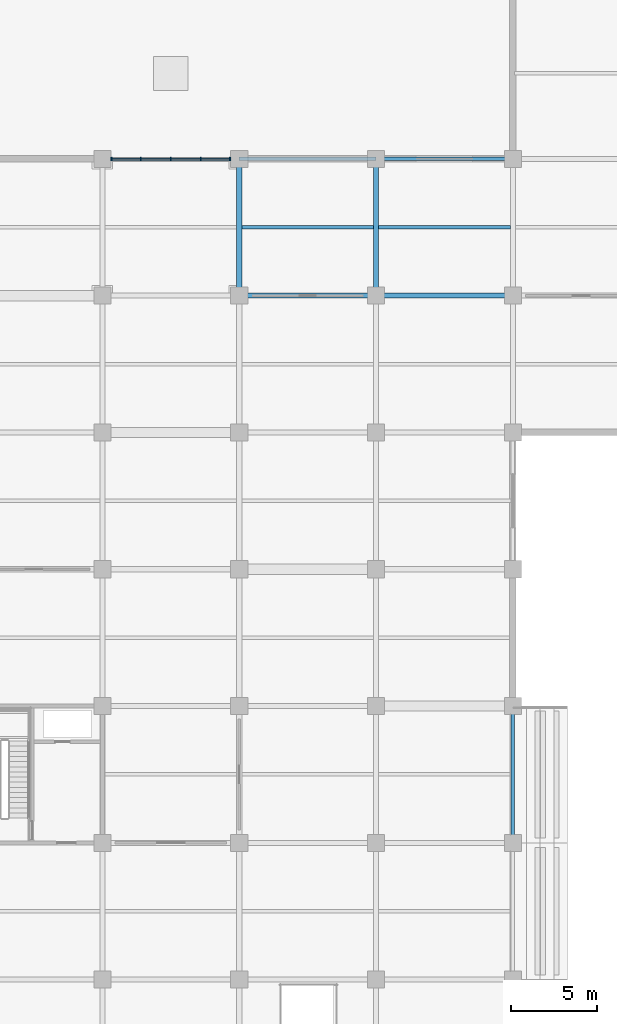
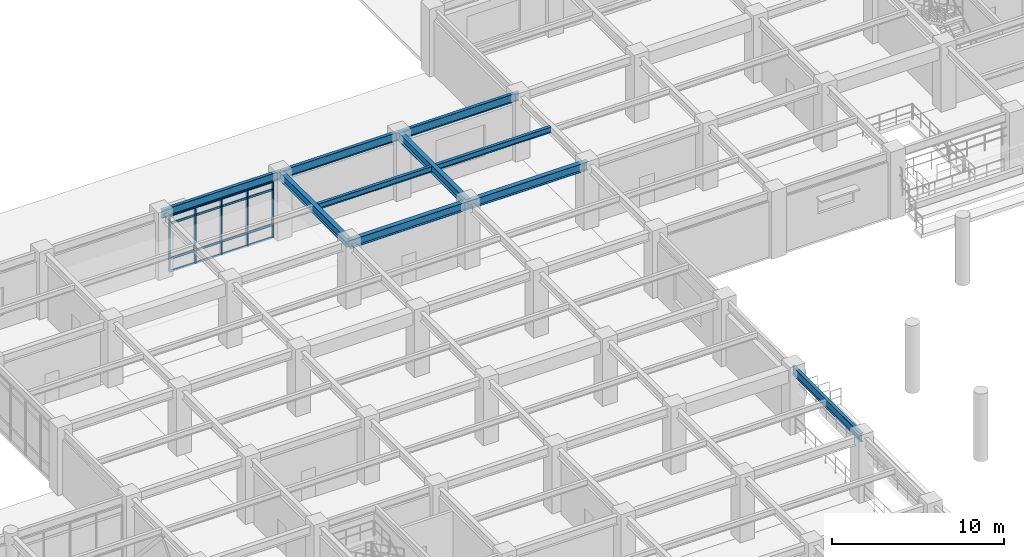
# One storey, part 44 of 117: 21 members, 10 beams, 1 element without a shape of its own.
"""IFC4 building model written with IfcOpenShell, lengths in metres."""

import ifcopenshell
import ifcopenshell.guid

model = None  # the IFC model being written
_history = None  # IfcOwnerHistory: only IFC2X3 demands one
_inside = {}  # id of a spatial element -> (the spatial element, [elements in it])
_under = {}  # id of a project, library or spatial element -> (it, [spatial elements below it])
_declared = {}  # id of a project -> (the project, [libraries it declares])
_typed = {}  # id of a type object -> (the type object, [elements of that type])
_made_of = {}  # id of a material, layer set ... -> (it, [elements and type objects made of it])


def new_model(schema):
    """Start an empty IFC model of exactly this schema.

    Asked for "IFC4X3", IfcOpenShell would pick the latest addendum, in which some entities
    have other attributes; the version numbers below select the first issue.
    IFC2X3 requires an IfcOwnerHistory on every rooted entity: one is made here for all.
    """
    global model, _history
    if schema == "IFC4X3":
        model = ifcopenshell.file(schema_version=(4, 3, 0, 0))
    else:
        model = ifcopenshell.file(schema=schema)
    _inside.clear()
    _under.clear()
    _declared.clear()
    _typed.clear()
    _made_of.clear()
    _history = None
    if model.schema == "IFC2X3":
        org = make("IfcOrganization", Name="unknown")
        user = make(
            "IfcPersonAndOrganization",
            ThePerson=make("IfcPerson", FamilyName="unknown"),
            TheOrganization=org,
        )
        app = make(
            "IfcApplication",
            ApplicationDeveloper=org,
            Version="unknown",
            ApplicationFullName="unknown",
            ApplicationIdentifier="unknown",
        )
        _history = make(
            "IfcOwnerHistory",
            OwningUser=user,
            OwningApplication=app,
            ChangeAction="ADDED",
            CreationDate=0,
        )
    return model


def make(cls, **values):
    """One entity of the class cls with the attributes given. An attribute that is None is left unset."""
    return model.create_entity(
        cls, **{name: value for name, value in values.items() if value is not None}
    )


def rooted(cls, **values):
    """An entity with a GlobalId (a new one), such as an element, a storey or a relation."""
    return make(cls, GlobalId=ifcopenshell.guid.new(), OwnerHistory=_history, **values)


def si_unit(unit_type, name, prefix=None):
    """IfcSIUnit, for example si_unit("LENGTHUNIT", "METRE", prefix="MILLI")."""
    return make("IfcSIUnit", UnitType=unit_type, Prefix=prefix, Name=name)


def assignment(units):
    """IfcUnitAssignment: the units of a project."""
    return None if units is None else make("IfcUnitAssignment", Units=units)


def point(xyz):
    """IfcCartesianPoint."""
    return None if xyz is None else make("IfcCartesianPoint", Coordinates=xyz)


def direction(xyz):
    """IfcDirection."""
    return None if xyz is None else make("IfcDirection", DirectionRatios=xyz)


def frame(location, z_axis=None, x_axis=None):
    """IfcAxis2Placement3D, a coordinate frame: its origin and axes. An axis left out is left unset."""
    return make(
        "IfcAxis2Placement3D",
        Location=point(location),
        Axis=direction(z_axis),
        RefDirection=direction(x_axis),
    )


def frame_2d(location, x_axis=None):
    """IfcAxis2Placement2D, a coordinate frame in the plane: its origin and x axis."""
    return make(
        "IfcAxis2Placement2D", Location=point(location), RefDirection=direction(x_axis)
    )


def origin():
    """The frame at (0, 0, 0) with its axes left unset."""
    return frame((0.0, 0.0, 0.0))


def origin_2d():
    """The frame at (0, 0) in the plane with its x axis left unset."""
    return frame_2d((0.0, 0.0))


def place(relative_to, where):
    """IfcLocalPlacement: puts the frame where relative to a parent placement (None: the world)."""
    return make(
        "IfcLocalPlacement", PlacementRelTo=relative_to, RelativePlacement=where
    )


def context(
    kind, dimensions, precision=None, world=None, true_north=None, identifier=None
):
    """IfcGeometricRepresentationContext, for example the 3D "Model" context."""
    return make(
        "IfcGeometricRepresentationContext",
        ContextIdentifier=identifier,
        ContextType=kind,
        CoordinateSpaceDimension=dimensions,
        Precision=precision,
        WorldCoordinateSystem=world,
        TrueNorth=true_north,
    )


def subcontext(parent, identifier, kind, view, scale=None):
    """IfcGeometricRepresentationSubContext, for example "Body" below "Model"."""
    return make(
        "IfcGeometricRepresentationSubContext",
        ContextIdentifier=identifier,
        ContextType=kind,
        ParentContext=parent,
        TargetScale=scale,
        TargetView=view,
    )


def project(units=None, contexts=None):
    """IfcProject with its units and contexts."""
    return rooted(
        "IfcProject",
        Name="project",
        RepresentationContexts=contexts,
        UnitsInContext=assignment(units),
    )


def spatial(cls, under=None, at=None, **own):
    """A site, building, storey or space (cls), placed at a placement, below another one or the project."""
    s = rooted(cls, ObjectPlacement=at, **own)
    if under is not None:
        _under.setdefault(under.id(), (under, []))[1].append(s)
    return s


def profile(cls, at=None, kind="AREA", **sizes):
    """A parametric profile (cls). Its sizes go by their IFC names, for example OverallWidth=200.0."""
    return make(cls, ProfileType=kind, Position=at, **sizes)


def rectangle(**sizes):
    """IfcRectangleProfileDef."""
    return profile("IfcRectangleProfileDef", **sizes)


def i_section(**sizes):
    """IfcIShapeProfileDef."""
    return profile("IfcIShapeProfileDef", **sizes)


def extrude(swept, where, along, depth):
    """IfcExtrudedAreaSolid: the profile swept, set in the frame where, extruded along a direction by depth."""
    return make(
        "IfcExtrudedAreaSolid",
        SweptArea=swept,
        Position=where,
        ExtrudedDirection=direction(along),
        Depth=depth,
    )


def shape(context_of_items, identifier, shape_type, items):
    """IfcShapeRepresentation: the items that make up one representation, for example the "Body"."""
    return make(
        "IfcShapeRepresentation",
        ContextOfItems=context_of_items,
        RepresentationIdentifier=identifier,
        RepresentationType=shape_type,
        Items=items,
    )


def material(Name=None, Category=None):
    """IfcMaterial."""
    return make("IfcMaterial", Name=Name, Category=Category)


def layer(
    of_material, thickness, ventilated=None, Name=None, Category=None, Priority=None
):
    """IfcMaterialLayer: one layer of a wall or slab, of a material (None: an air gap)."""
    return make(
        "IfcMaterialLayer",
        Material=of_material,
        LayerThickness=thickness,
        IsVentilated=ventilated,
        Name=Name,
        Category=Category,
        Priority=Priority,
    )


def layer_set(layers, Name=None):
    """IfcMaterialLayerSet."""
    return make("IfcMaterialLayerSet", MaterialLayers=layers, LayerSetName=Name)


def material_profile(
    of_material, cross_section, Name=None, Category=None, Priority=None
):
    """IfcMaterialProfile: a cross section and its material."""
    return make(
        "IfcMaterialProfile",
        Name=Name,
        Material=of_material,
        Profile=cross_section,
        Priority=Priority,
        Category=Category,
    )


def profile_set(profiles, Name=None, composite=None):
    """IfcMaterialProfileSet."""
    return make(
        "IfcMaterialProfileSet",
        Name=Name,
        MaterialProfiles=profiles,
        CompositeProfile=composite,
    )


def made_of(thing, what):
    """Note that an element or type object is made of a material, layer set ...; save() writes the relation."""
    if what is not None:
        _made_of.setdefault(what.id(), (what, []))[1].append(thing)
    return thing


def type_object(cls, material=None, **own):
    """A type object (cls), such as IfcWallType, which elements share."""
    return made_of(rooted(cls, **own), material)


def element(
    cls,
    number,
    at=None,
    inside=None,
    cuts=None,
    type_object=None,
    material=None,
    context=None,
    identifier="Body",
    shape_type=None,
    held_by="IfcProductDefinitionShape",
    body=None,
    shapes=None,
    **own,
):
    """One element of the class cls, such as IfcWall. Its Tag is "e" and its number.

    at: its placement. inside: the storey or other place that contains it. cuts: it is an
    opening in that element (IfcRelVoidsElement). A single representation is given by context,
    identifier, shape_type and body (its items); several are given by shapes. held_by: the class
    of the entity that holds the representations. save() writes the other relations.
    """
    e = rooted(cls, Tag="e%d" % number, ObjectPlacement=at, **own)
    if body is not None:
        shapes = [shape(context, identifier, shape_type, body)]
    if shapes is not None:
        e.Representation = make(held_by, Representations=shapes)
    if inside is not None:
        _inside.setdefault(inside.id(), (inside, []))[1].append(e)
    if cuts is not None:
        rooted(
            "IfcRelVoidsElement", RelatingBuildingElement=cuts, RelatedOpeningElement=e
        )
    if type_object is not None:
        _typed.setdefault(type_object.id(), (type_object, []))[1].append(e)
    return made_of(e, material)


def aggregate(whole, parts):
    """IfcRelAggregates: a whole, such as a stair, and the parts it consists of."""
    return rooted("IfcRelAggregates", RelatingObject=whole, RelatedObjects=parts)


def save(model, path):
    """Write the relations noted so far, then the file.

    IfcRelAggregates (storeys below a building ...), IfcRelContainedInSpatialStructure (elements
    in a storey), IfcRelDefinesByType, IfcRelAssociatesMaterial and IfcRelDeclares: one each for
    every whole, place, type object, material and project.
    """
    for whole, parts in _under.values():
        aggregate(whole, parts)
    for where, things in _inside.values():
        rooted(
            "IfcRelContainedInSpatialStructure",
            RelatedElements=things,
            RelatingStructure=where,
        )
    for kind, things in _typed.values():
        rooted("IfcRelDefinesByType", RelatedObjects=things, RelatingType=kind)
    for what, things in _made_of.values():
        rooted("IfcRelAssociatesMaterial", RelatedObjects=things, RelatingMaterial=what)
    for by, libraries in _declared.values():
        rooted("IfcRelDeclares", RelatingContext=by, RelatedDefinitions=libraries)
    model.write(path)


model = new_model("IFC4")

# Units and contexts
model_context = context("Model", 3, precision=1e-05, world=origin(), true_north=direction((0.0, 1.0)))
body_context = subcontext(model_context, "Body", "Model", "MODEL_VIEW")
ifc_project = project(units=[si_unit("LENGTHUNIT", "METRE"), si_unit("AREAUNIT", "SQUARE_METRE"), si_unit("VOLUMEUNIT", "CUBIC_METRE"), si_unit("PLANEANGLEUNIT", "RADIAN"), si_unit("MASSUNIT", "GRAM", prefix="KILO")], contexts=[model_context])

# Site, building, storey
site_placement = place(None, origin())
site = spatial("IfcSite", under=ifc_project, at=site_placement, CompositionType="ELEMENT")
building_placement = place(site_placement, origin())
building = spatial("IfcBuilding", under=site, at=building_placement, Name="Haebicheon Civic Stadium", CompositionType="ELEMENT")
storey_placement = place(building_placement, frame((0.0, 0.0, 4.800048828125)))
storey = spatial("IfcBuildingStorey", under=building, at=storey_placement, Name="L02", CompositionType="ELEMENT", Elevation=4.800048828125)

# Beams
ifc_material_1 = material(Name="Steel SM355 (S355)", Category="steel")
ifc_material_profile_1 = material_profile(ifc_material_1, i_section(OverallWidth=0.300048828125, OverallDepth=0.60009765625, WebThickness=0.011962890625, FlangeThickness=0.02001953125, at=origin_2d()), Name="H-600x300x12x20")
ifc_profile_set_1 = profile_set([ifc_material_profile_1], Name="Steel SM355 (S355)")
beam_type_1 = type_object("IfcBeamType", Name="BM-ST-H600A", PredefinedType="BEAM", material=ifc_profile_set_1)
for number, where, z_axis, x_axis, name in (
    (1, (48.0, 160.0, 4.280029296875), (0.0, 1.0, 0.0), (-1.0, 0.0, 0.0), "L02 girder 7/W-X"),
    (2, (56.0, 160.0, 4.280029296875), (0.0, 1.0, 0.0), (-1.0, 0.0, 0.0), "L02 girder 8/W-X"),
    (3, (48.0, 160.0, 4.219970703125), (1.0, 0.0, 0.0), (0.0, 1.0, 0.0), "L02 beam W/7-8"),
    (4, (56.0, 160.0, 4.219970703125), (1.0, 0.0, 0.0), (0.0, 1.0, 0.0), "L02 beam W/8-9"),
):
    element("IfcBeam", number, at=place(storey_placement, frame(where, z_axis=z_axis, x_axis=x_axis)), inside=storey, type_object=beam_type_1, material=ifc_profile_set_1, Name=name, PredefinedType="BEAM", context=body_context, shape_type="SweptSolid", body=[
        extrude(i_section(OverallWidth=0.300048828125, OverallDepth=0.60009765625, WebThickness=0.011962890625, FlangeThickness=0.02001953125, at=origin_2d()), origin(), (0.0, 0.0, 1.0), 8.0),
    ])

# Curtain wall, members
ifc_material_2 = material(Name="Anodised aluminium and laminated glass", Category="aluminium")
ifc_layer = layer(ifc_material_2, 0.179931640625, Name="Anodised aluminium and laminated glass")
ifc_layer_set = layer_set([ifc_layer], Name="Anodised aluminium and laminated glass")
curtain_wall_type = type_object("IfcCurtainWallType", Name="CW-7000x3950", PredefinedType="NOTDEFINED", material=ifc_layer_set)
curtain_wall_placement = place(storey_placement, origin())
curtain_wall = element("IfcCurtainWall", 5, at=curtain_wall_placement, inside=storey, type_object=curtain_wall_type, material=ifc_layer_set, Name="L02 unitised curtain wall 040", PredefinedType="NOTDEFINED")
ifc_material_3 = material(Name="Anodised aluminium 6063-T6", Category="aluminium")
ifc_material_profile_2 = material_profile(ifc_material_3, rectangle(XDim=0.070068359375, YDim=0.199951171875, at=origin_2d()), Name="ALU-MULL-70x200")
ifc_profile_set_2 = profile_set([ifc_material_profile_2], Name="Anodised aluminium 6063-T6")
member_type_1 = type_object("IfcMemberType", Name="CWM-200x70", PredefinedType="MULLION", material=ifc_profile_set_2)
member_1_placement = place(storey_placement, frame((40.534912109375, 168.0, 0.0), z_axis=(0.0, 0.0, 1.0), x_axis=(1.0, 0.0, 0.0)))
member_1 = element("IfcMember", 6, at=member_1_placement, type_object=member_type_1, material=ifc_profile_set_2, Name="CW-L02-040 vertical mullion 1", PredefinedType="MULLION", context=body_context, shape_type="SweptSolid", body=[
    extrude(rectangle(XDim=0.070068359375, YDim=0.199951171875, at=origin_2d()), origin(), (0.0, 0.0, 1.0), 3.949951171875),
])
member_2_placement = place(storey_placement, frame((42.25, 168.0, 0.0), z_axis=(0.0, 0.0, 1.0), x_axis=(1.0, 0.0, 0.0)))
member_2 = element("IfcMember", 7, at=member_2_placement, type_object=member_type_1, material=ifc_profile_set_2, Name="CW-L02-040 vertical mullion 2", PredefinedType="MULLION", context=body_context, shape_type="SweptSolid", body=[
    extrude(rectangle(XDim=0.070068359375, YDim=0.199951171875, at=origin_2d()), origin(), (0.0, 0.0, 1.0), 3.949951171875),
])
member_3_placement = place(storey_placement, frame((44.0, 168.0, 0.0), z_axis=(0.0, 0.0, 1.0), x_axis=(1.0, 0.0, 0.0)))
member_3 = element("IfcMember", 8, at=member_3_placement, type_object=member_type_1, material=ifc_profile_set_2, Name="CW-L02-040 vertical mullion 3", PredefinedType="MULLION", context=body_context, shape_type="SweptSolid", body=[
    extrude(rectangle(XDim=0.070068359375, YDim=0.199951171875, at=origin_2d()), origin(), (0.0, 0.0, 1.0), 3.949951171875),
])
member_4_placement = place(storey_placement, frame((45.75, 168.0, 0.0), z_axis=(0.0, 0.0, 1.0), x_axis=(1.0, 0.0, 0.0)))
member_4 = element("IfcMember", 9, at=member_4_placement, type_object=member_type_1, material=ifc_profile_set_2, Name="CW-L02-040 vertical mullion 4", PredefinedType="MULLION", context=body_context, shape_type="SweptSolid", body=[
    extrude(rectangle(XDim=0.070068359375, YDim=0.199951171875, at=origin_2d()), origin(), (0.0, 0.0, 1.0), 3.949951171875),
])
member_5_placement = place(storey_placement, frame((47.465087890625, 168.0, 0.0), z_axis=(0.0, 0.0, 1.0), x_axis=(1.0, 0.0, 0.0)))
member_5 = element("IfcMember", 10, at=member_5_placement, type_object=member_type_1, material=ifc_profile_set_2, Name="CW-L02-040 vertical mullion 5", PredefinedType="MULLION", context=body_context, shape_type="SweptSolid", body=[
    extrude(rectangle(XDim=0.070068359375, YDim=0.199951171875, at=origin_2d()), origin(), (0.0, 0.0, 1.0), 3.949951171875),
])
ifc_material_4 = material(Name="Anodised aluminium 6063-T6", Category="aluminium")
ifc_material_profile_3 = material_profile(ifc_material_4, rectangle(XDim=0.070068359375, YDim=0.14990234375, at=origin_2d()), Name="ALU-TRAN-70x150")
ifc_profile_set_3 = profile_set([ifc_material_profile_3], Name="Anodised aluminium 6063-T6")
member_type_2 = type_object("IfcMemberType", Name="CWT-150x70", PredefinedType="NOTDEFINED", material=ifc_profile_set_3)
member_6_placement = place(storey_placement, frame((40.570068359375, 168.0, 0.0), z_axis=(1.0, 0.0, 0.0), x_axis=(0.0, 1.0, 0.0)))
member_6 = element("IfcMember", 11, at=member_6_placement, type_object=member_type_2, material=ifc_profile_set_3, Name="CW-L02-040 horizontal transom 1.1", ObjectType="TRANSOM", PredefinedType="USERDEFINED", context=body_context, shape_type="SweptSolid", body=[
    extrude(rectangle(XDim=0.070068359375, YDim=0.14990234375, at=origin_2d()), origin(), (0.0, 0.0, 1.0), 1.64501953125),
])
member_7_placement = place(storey_placement, frame((40.570068359375, 168.0, 0.89990234375), z_axis=(1.0, 0.0, 0.0), x_axis=(0.0, 1.0, 0.0)))
member_7 = element("IfcMember", 12, at=member_7_placement, type_object=member_type_2, material=ifc_profile_set_3, Name="CW-L02-040 horizontal transom 1.2", ObjectType="TRANSOM", PredefinedType="USERDEFINED", context=body_context, shape_type="SweptSolid", body=[
    extrude(rectangle(XDim=0.070068359375, YDim=0.14990234375, at=origin_2d()), origin(), (0.0, 0.0, 1.0), 1.64501953125),
])
member_8_placement = place(storey_placement, frame((40.570068359375, 168.0, 3.39990234375), z_axis=(1.0, 0.0, 0.0), x_axis=(0.0, 1.0, 0.0)))
member_8 = element("IfcMember", 13, at=member_8_placement, type_object=member_type_2, material=ifc_profile_set_3, Name="CW-L02-040 horizontal transom 1.3", ObjectType="TRANSOM", PredefinedType="USERDEFINED", context=body_context, shape_type="SweptSolid", body=[
    extrude(rectangle(XDim=0.070068359375, YDim=0.14990234375, at=origin_2d()), origin(), (0.0, 0.0, 1.0), 1.64501953125),
])
member_9_placement = place(storey_placement, frame((40.570068359375, 168.0, 3.949951171875), z_axis=(1.0, 0.0, 0.0), x_axis=(0.0, 1.0, 0.0)))
member_9 = element("IfcMember", 14, at=member_9_placement, type_object=member_type_2, material=ifc_profile_set_3, Name="CW-L02-040 horizontal transom 1.4", ObjectType="TRANSOM", PredefinedType="USERDEFINED", context=body_context, shape_type="SweptSolid", body=[
    extrude(rectangle(XDim=0.070068359375, YDim=0.14990234375, at=origin_2d()), origin(), (0.0, 0.0, 1.0), 1.64501953125),
])
member_10_placement = place(storey_placement, frame((42.284912109375, 168.0, 0.0), z_axis=(1.0, 0.0, 0.0), x_axis=(0.0, 1.0, 0.0)))
member_10 = element("IfcMember", 15, at=member_10_placement, type_object=member_type_2, material=ifc_profile_set_3, Name="CW-L02-040 horizontal transom 2.1", ObjectType="TRANSOM", PredefinedType="USERDEFINED", context=body_context, shape_type="SweptSolid", body=[
    extrude(rectangle(XDim=0.070068359375, YDim=0.14990234375, at=origin_2d()), origin(), (0.0, 0.0, 1.0), 1.68017578125),
])
member_11_placement = place(storey_placement, frame((42.284912109375, 168.0, 0.89990234375), z_axis=(1.0, 0.0, 0.0), x_axis=(0.0, 1.0, 0.0)))
member_11 = element("IfcMember", 16, at=member_11_placement, type_object=member_type_2, material=ifc_profile_set_3, Name="CW-L02-040 horizontal transom 2.2", ObjectType="TRANSOM", PredefinedType="USERDEFINED", context=body_context, shape_type="SweptSolid", body=[
    extrude(rectangle(XDim=0.070068359375, YDim=0.14990234375, at=origin_2d()), origin(), (0.0, 0.0, 1.0), 1.68017578125),
])
member_12_placement = place(storey_placement, frame((42.284912109375, 168.0, 3.39990234375), z_axis=(1.0, 0.0, 0.0), x_axis=(0.0, 1.0, 0.0)))
member_12 = element("IfcMember", 17, at=member_12_placement, type_object=member_type_2, material=ifc_profile_set_3, Name="CW-L02-040 horizontal transom 2.3", ObjectType="TRANSOM", PredefinedType="USERDEFINED", context=body_context, shape_type="SweptSolid", body=[
    extrude(rectangle(XDim=0.070068359375, YDim=0.14990234375, at=origin_2d()), origin(), (0.0, 0.0, 1.0), 1.68017578125),
])
member_13_placement = place(storey_placement, frame((42.284912109375, 168.0, 3.949951171875), z_axis=(1.0, 0.0, 0.0), x_axis=(0.0, 1.0, 0.0)))
member_13 = element("IfcMember", 18, at=member_13_placement, type_object=member_type_2, material=ifc_profile_set_3, Name="CW-L02-040 horizontal transom 2.4", ObjectType="TRANSOM", PredefinedType="USERDEFINED", context=body_context, shape_type="SweptSolid", body=[
    extrude(rectangle(XDim=0.070068359375, YDim=0.14990234375, at=origin_2d()), origin(), (0.0, 0.0, 1.0), 1.68017578125),
])
member_14_placement = place(storey_placement, frame((44.034912109375, 168.0, 0.0), z_axis=(1.0, 0.0, 0.0), x_axis=(0.0, 1.0, 0.0)))
member_14 = element("IfcMember", 19, at=member_14_placement, type_object=member_type_2, material=ifc_profile_set_3, Name="CW-L02-040 horizontal transom 3.1", ObjectType="TRANSOM", PredefinedType="USERDEFINED", context=body_context, shape_type="SweptSolid", body=[
    extrude(rectangle(XDim=0.070068359375, YDim=0.14990234375, at=origin_2d()), origin(), (0.0, 0.0, 1.0), 1.68017578125),
])
member_15_placement = place(storey_placement, frame((44.034912109375, 168.0, 0.89990234375), z_axis=(1.0, 0.0, 0.0), x_axis=(0.0, 1.0, 0.0)))
member_15 = element("IfcMember", 20, at=member_15_placement, type_object=member_type_2, material=ifc_profile_set_3, Name="CW-L02-040 horizontal transom 3.2", ObjectType="TRANSOM", PredefinedType="USERDEFINED", context=body_context, shape_type="SweptSolid", body=[
    extrude(rectangle(XDim=0.070068359375, YDim=0.14990234375, at=origin_2d()), origin(), (0.0, 0.0, 1.0), 1.68017578125),
])
member_16_placement = place(storey_placement, frame((44.034912109375, 168.0, 3.39990234375), z_axis=(1.0, 0.0, 0.0), x_axis=(0.0, 1.0, 0.0)))
member_16 = element("IfcMember", 21, at=member_16_placement, type_object=member_type_2, material=ifc_profile_set_3, Name="CW-L02-040 horizontal transom 3.3", ObjectType="TRANSOM", PredefinedType="USERDEFINED", context=body_context, shape_type="SweptSolid", body=[
    extrude(rectangle(XDim=0.070068359375, YDim=0.14990234375, at=origin_2d()), origin(), (0.0, 0.0, 1.0), 1.68017578125),
])
member_17_placement = place(storey_placement, frame((44.034912109375, 168.0, 3.949951171875), z_axis=(1.0, 0.0, 0.0), x_axis=(0.0, 1.0, 0.0)))
member_17 = element("IfcMember", 22, at=member_17_placement, type_object=member_type_2, material=ifc_profile_set_3, Name="CW-L02-040 horizontal transom 3.4", ObjectType="TRANSOM", PredefinedType="USERDEFINED", context=body_context, shape_type="SweptSolid", body=[
    extrude(rectangle(XDim=0.070068359375, YDim=0.14990234375, at=origin_2d()), origin(), (0.0, 0.0, 1.0), 1.68017578125),
])
member_18_placement = place(storey_placement, frame((45.784912109375, 168.0, 0.0), z_axis=(1.0, 0.0, 0.0), x_axis=(0.0, 1.0, 0.0)))
member_18 = element("IfcMember", 23, at=member_18_placement, type_object=member_type_2, material=ifc_profile_set_3, Name="CW-L02-040 horizontal transom 4.1", ObjectType="TRANSOM", PredefinedType="USERDEFINED", context=body_context, shape_type="SweptSolid", body=[
    extrude(rectangle(XDim=0.070068359375, YDim=0.14990234375, at=origin_2d()), origin(), (0.0, 0.0, 1.0), 1.64501953125),
])
member_19_placement = place(storey_placement, frame((45.784912109375, 168.0, 0.89990234375), z_axis=(1.0, 0.0, 0.0), x_axis=(0.0, 1.0, 0.0)))
member_19 = element("IfcMember", 24, at=member_19_placement, type_object=member_type_2, material=ifc_profile_set_3, Name="CW-L02-040 horizontal transom 4.2", ObjectType="TRANSOM", PredefinedType="USERDEFINED", context=body_context, shape_type="SweptSolid", body=[
    extrude(rectangle(XDim=0.070068359375, YDim=0.14990234375, at=origin_2d()), origin(), (0.0, 0.0, 1.0), 1.64501953125),
])
member_20_placement = place(storey_placement, frame((45.784912109375, 168.0, 3.39990234375), z_axis=(1.0, 0.0, 0.0), x_axis=(0.0, 1.0, 0.0)))
member_20 = element("IfcMember", 25, at=member_20_placement, type_object=member_type_2, material=ifc_profile_set_3, Name="CW-L02-040 horizontal transom 4.3", ObjectType="TRANSOM", PredefinedType="USERDEFINED", context=body_context, shape_type="SweptSolid", body=[
    extrude(rectangle(XDim=0.070068359375, YDim=0.14990234375, at=origin_2d()), origin(), (0.0, 0.0, 1.0), 1.64501953125),
])
member_21_placement = place(storey_placement, frame((45.784912109375, 168.0, 3.949951171875), z_axis=(1.0, 0.0, 0.0), x_axis=(0.0, 1.0, 0.0)))
member_21 = element("IfcMember", 26, at=member_21_placement, type_object=member_type_2, material=ifc_profile_set_3, Name="CW-L02-040 horizontal transom 4.4", ObjectType="TRANSOM", PredefinedType="USERDEFINED", context=body_context, shape_type="SweptSolid", body=[
    extrude(rectangle(XDim=0.070068359375, YDim=0.14990234375, at=origin_2d()), origin(), (0.0, 0.0, 1.0), 1.64501953125),
])
aggregate(curtain_wall, [member_1, member_2, member_3, member_4, member_5, member_6, member_7, member_8, member_9, member_10, member_11, member_12, member_13, member_14, member_15, member_16, member_17, member_18, member_19, member_20, member_21])

# Beams
ifc_material_5 = material(Name="Steel SM355 (S355)", Category="steel")
ifc_material_profile_4 = material_profile(ifc_material_5, i_section(OverallWidth=0.199951171875, OverallDepth=0.39990234375, WebThickness=0.008056640625, FlangeThickness=0.012939453125, at=origin_2d()), Name="H-400x200x8x13")
ifc_profile_set_4 = profile_set([ifc_material_profile_4], Name="Steel SM355 (S355)")
beam_type_2 = type_object("IfcBeamType", Name="JST-ST-H400", PredefinedType="JOIST", material=ifc_profile_set_4)
for number, where, z_axis, x_axis, name in (
    (27, (48.14990234375, 164.0, 4.3798828125), (1.0, 0.0, 0.0), (0.0, 1.0, 0.0), "L02 secondary joist 06-20"),
    (28, (56.14990234375, 164.0, 4.3798828125), (1.0, 0.0, 0.0), (0.0, 1.0, 0.0), "L02 secondary joist 07-20"),
):
    element("IfcBeam", number, at=place(storey_placement, frame(where, z_axis=z_axis, x_axis=x_axis)), inside=storey, type_object=beam_type_2, material=ifc_profile_set_4, Name=name, PredefinedType="JOIST", context=body_context, shape_type="SweptSolid", body=[
        extrude(i_section(OverallWidth=0.199951171875, OverallDepth=0.39990234375, WebThickness=0.008056640625, FlangeThickness=0.012939453125, at=origin_2d()), origin(), (0.0, 0.0, 1.0), 7.7001953125),
    ])
ifc_material_6 = material(Name="Steel SM355 (S355)", Category="steel")
ifc_material_profile_5 = material_profile(ifc_material_6, i_section(OverallWidth=0.199951171875, OverallDepth=0.60009765625, WebThickness=0.010986328125, FlangeThickness=0.01708984375, at=origin_2d()), Name="H-600x200x11x17")
ifc_profile_set_5 = profile_set([ifc_material_profile_5], Name="Steel SM355 (S355)")
beam_type_3 = type_object("IfcBeamType", Name="SPD-ST-H600B", PredefinedType="SPANDREL", material=ifc_profile_set_5)
for number, where, z_axis, x_axis, name in (
    (29, (64.0, 128.0, 4.219970703125), (0.0, 1.0, 0.0), (-1.0, 0.0, 0.0), "L02 girder 9/S-T"),
    (30, (40.0, 168.0, 4.280029296875), (1.0, 0.0, 0.0), (0.0, 1.0, 0.0), "L02 beam X/6-7"),
    (31, (48.0, 168.0, 4.280029296875), (1.0, 0.0, 0.0), (0.0, 1.0, 0.0), "L02 beam X/7-8"),
    (32, (56.0, 168.0, 4.280029296875), (1.0, 0.0, 0.0), (0.0, 1.0, 0.0), "L02 beam X/8-9"),
):
    element("IfcBeam", number, at=place(storey_placement, frame(where, z_axis=z_axis, x_axis=x_axis)), inside=storey, type_object=beam_type_3, material=ifc_profile_set_5, Name=name, PredefinedType="SPANDREL", context=body_context, shape_type="SweptSolid", body=[
        extrude(i_section(OverallWidth=0.199951171875, OverallDepth=0.60009765625, WebThickness=0.010986328125, FlangeThickness=0.01708984375, at=origin_2d()), origin(), (0.0, 0.0, 1.0), 8.0),
    ])

save(model, "model.ifc")
